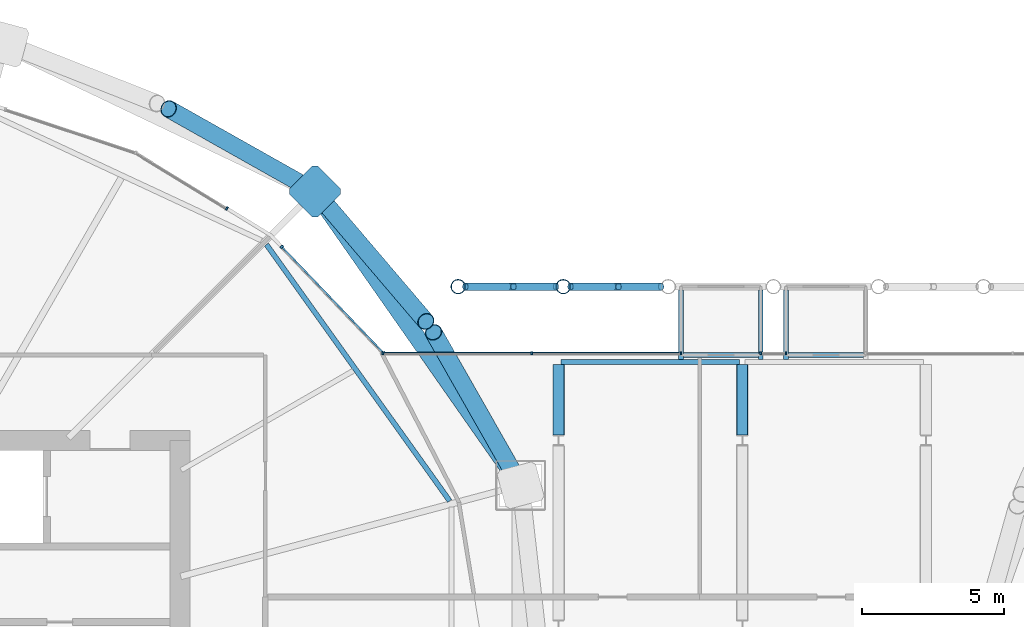
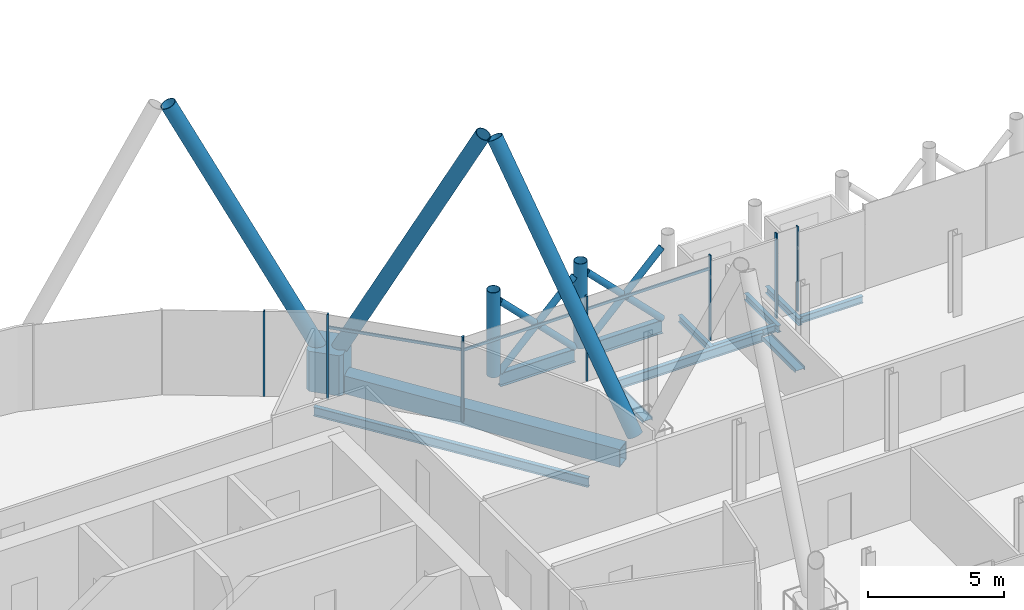
# One storey, part 11 of 35: 23 members, 12 beams, 2 elements without a shape of their own.
"""IFC4 building model written with IfcOpenShell, lengths in metres."""

from ifc_helpers import new_model, si_unit, direction, frame, origin, origin_2d, place, context, subcontext, project, spatial, polyline, rectangle, hollow_rectangle, hollow_circle, i_section, outline, extrude, material, material_profile, profile_set, type_object, element, aggregate, save


model = new_model("IFC4")

# Units and contexts
model_context = context("Model", 3, precision=1e-05, world=origin(), true_north=direction((0.0, 1.0)))
body_context = subcontext(model_context, "Body", "Model", "MODEL_VIEW")
ifc_project = project(units=[si_unit("LENGTHUNIT", "METRE"), si_unit("AREAUNIT", "SQUARE_METRE"), si_unit("VOLUMEUNIT", "CUBIC_METRE"), si_unit("PLANEANGLEUNIT", "RADIAN"), si_unit("MASSUNIT", "GRAM", prefix="KILO")], contexts=[model_context])

# Site, building, storey
site_placement = place(None, origin())
site = spatial("IfcSite", under=ifc_project, at=site_placement, CompositionType="ELEMENT")
building_placement = place(site_placement, origin())
building = spatial("IfcBuilding", under=site, at=building_placement, Name="Rimbun Link Towers", CompositionType="ELEMENT")
storey_placement = place(building_placement, frame((0.0, 0.0, 146.800048828125)))
storey = spatial("IfcBuildingStorey", under=building, at=storey_placement, Name="L35", CompositionType="ELEMENT", Elevation=146.800048828125)

# Curtain wall, members
ifc_material_1 = material(Name="Aluminium 6063-T6 and low-iron glass", Category="aluminium")
curtain_wall_type = type_object("IfcCurtainWallType", Name="CW4 link block wall", PredefinedType="NOTDEFINED", material=ifc_material_1)
curtain_wall_1_placement = place(storey_placement, origin())
curtain_wall_1 = element("IfcCurtainWall", 1, at=curtain_wall_1_placement, inside=storey, type_object=curtain_wall_type, Name="CW4 L35 T1", PredefinedType="NOTDEFINED")
ifc_material_2 = material(Name="Aluminium 6063-T6", Category="aluminium")
ifc_material_profile_1 = material_profile(ifc_material_2, rectangle(XDim=0.1201171875, YDim=0.06005859375, at=origin_2d()), Name="MULLION 60X120")
ifc_profile_set_1 = profile_set([ifc_material_profile_1], Name="Aluminium 6063-T6")
member_type_1 = type_object("IfcMemberType", Name="CW4 mullion 60X120", PredefinedType="MULLION", material=ifc_profile_set_1)
member_1_placement = place(storey_placement, frame((-16.171875, 14.798583984375, 0.0), z_axis=(0.0, 0.0, 1.0), x_axis=(0.721858090698, 0.692041109252, 0.0)))
member_1 = element("IfcMember", 2, at=member_1_placement, type_object=member_type_1, Name="CW4 mullion", PredefinedType="MULLION", context=body_context, shape_type="SweptSolid", body=[
    extrude(rectangle(XDim=0.1201171875, YDim=0.06005859375, at=origin_2d()), origin(), (0.0, 0.0, 1.0), 3.800048828125),
])
member_2_placement = place(storey_placement, frame((-12.599853515625, 11.07275390625, 0.0), z_axis=(0.0, 0.0, 1.0), x_axis=(0.721858090698, 0.692041109252, 0.0)))
member_2 = element("IfcMember", 3, at=member_2_placement, type_object=member_type_1, Name="CW4 mullion", PredefinedType="MULLION", context=body_context, shape_type="SweptSolid", body=[
    extrude(rectangle(XDim=0.1201171875, YDim=0.06005859375, at=origin_2d()), origin(), (0.0, 0.0, 1.0), 3.800048828125),
])
member_3_placement = place(storey_placement, frame((-18.098388671875, 16.147216796875, 0.0), z_axis=(0.0, 0.0, 1.0), x_axis=(0.523225378089, 0.852194346217, 0.0)))
member_3 = element("IfcMember", 4, at=member_3_placement, type_object=member_type_1, Name="CW4 mullion", PredefinedType="MULLION", context=body_context, shape_type="SweptSolid", body=[
    extrude(rectangle(XDim=0.1201171875, YDim=0.06005859375, at=origin_2d()), origin(), (0.0, 0.0, 1.0), 3.800048828125),
])

curtain_wall_2_placement = place(storey_placement, origin())
curtain_wall_2 = element("IfcCurtainWall", 5, at=curtain_wall_2_placement, inside=storey, type_object=curtain_wall_type, Name="CW4 L35 LB", PredefinedType="NOTDEFINED")
member_4_placement = place(storey_placement, frame((-12.626953125, 11.06005859375, 0.0), z_axis=(0.0, 0.0, 1.0), x_axis=(0.0, 1.0, 0.0)))
member_4 = element("IfcMember", 6, at=member_4_placement, type_object=member_type_1, Name="CW4 mullion", PredefinedType="MULLION", context=body_context, shape_type="SweptSolid", body=[
    extrude(rectangle(XDim=0.1201171875, YDim=0.06005859375, at=origin_2d()), origin(), (0.0, 0.0, 1.0), 3.800048828125),
])
member_5_placement = place(storey_placement, frame((-7.39013671875, 11.06005859375, 0.0), z_axis=(0.0, 0.0, 1.0), x_axis=(0.0, 1.0, 0.0)))
member_5 = element("IfcMember", 7, at=member_5_placement, type_object=member_type_1, Name="CW4 mullion", PredefinedType="MULLION", context=body_context, shape_type="SweptSolid", body=[
    extrude(rectangle(XDim=0.1201171875, YDim=0.06005859375, at=origin_2d()), origin(), (0.0, 0.0, 1.0), 3.800048828125),
])
member_6_placement = place(storey_placement, frame((-2.1533203125, 11.06005859375, 0.0), z_axis=(0.0, 0.0, 1.0), x_axis=(0.0, 1.0, 0.0)))
member_6 = element("IfcMember", 8, at=member_6_placement, type_object=member_type_1, Name="CW4 mullion", PredefinedType="MULLION", context=body_context, shape_type="SweptSolid", body=[
    extrude(rectangle(XDim=0.1201171875, YDim=0.06005859375, at=origin_2d()), origin(), (0.0, 0.0, 1.0), 3.800048828125),
])
member_7_placement = place(storey_placement, frame((0.646728515625, 11.06005859375, 0.0), z_axis=(0.0, 0.0, 1.0), x_axis=(0.0, 1.0, 0.0)))
member_7 = element("IfcMember", 9, at=member_7_placement, type_object=member_type_1, Name="CW4 mullion", PredefinedType="MULLION", context=body_context, shape_type="SweptSolid", body=[
    extrude(rectangle(XDim=0.1201171875, YDim=0.06005859375, at=origin_2d()), origin(), (0.0, 0.0, 1.0), 3.800048828125),
])
member_8_placement = place(storey_placement, frame((1.536865234375, 11.06005859375, 0.0), z_axis=(0.0, 0.0, 1.0), x_axis=(0.0, 1.0, 0.0)))
member_8 = element("IfcMember", 10, at=member_8_placement, type_object=member_type_1, Name="CW4 mullion", PredefinedType="MULLION", context=body_context, shape_type="SweptSolid", body=[
    extrude(rectangle(XDim=0.1201171875, YDim=0.06005859375, at=origin_2d()), origin(), (0.0, 0.0, 1.0), 3.800048828125),
])

# Member
ifc_material_3 = material(Name="Aluminium 6063-T6", Category="aluminium")
ifc_material_profile_2 = material_profile(ifc_material_3, rectangle(XDim=0.06005859375, YDim=0.1201171875, at=origin_2d()), Name="TRANSOM 60X120")
ifc_profile_set_2 = profile_set([ifc_material_profile_2], Name="Aluminium 6063-T6")
member_type_2 = type_object("IfcMemberType", Name="CW4 transom 60X120", PredefinedType="USERDEFINED", material=ifc_profile_set_2)
member_9_placement = place(storey_placement, frame((-16.152587890625, 14.775634765625, 3.199951171875), z_axis=(0.692042551771, -0.72185670776, 0.0), x_axis=(0.72185670776, 0.692042551771, 0.0)))
member_9 = element("IfcMember", 11, at=member_9_placement, type_object=member_type_2, Name="CW4 transom", ObjectType="TRANSOM", PredefinedType="USERDEFINED", context=body_context, shape_type="SweptSolid", body=[
    extrude(rectangle(XDim=0.06005859375, YDim=0.1201171875, at=origin_2d()), origin(), (0.0, 0.0, 1.0), 5.1015625),
])

aggregate(curtain_wall_1, [member_1, member_2, member_3, member_9])

member_10_placement = place(storey_placement, frame((-12.596923828125, 11.05810546875, 3.199951171875), z_axis=(1.0, 0.0, 0.0), x_axis=(0.0, 1.0, 0.0)))
member_10 = element("IfcMember", 12, at=member_10_placement, type_object=member_type_2, Name="CW4 transom", ObjectType="TRANSOM", PredefinedType="USERDEFINED", context=body_context, shape_type="SweptSolid", body=[
    extrude(rectangle(XDim=0.06005859375, YDim=0.1201171875, at=origin_2d()), origin(), (0.0, 0.0, 1.0), 5.1767578125),
])

member_11_placement = place(storey_placement, frame((-7.360107421875, 11.05810546875, 3.199951171875), z_axis=(1.0, 0.0, 0.0), x_axis=(0.0, 1.0, 0.0)))
member_11 = element("IfcMember", 13, at=member_11_placement, type_object=member_type_2, Name="CW4 transom", ObjectType="TRANSOM", PredefinedType="USERDEFINED", context=body_context, shape_type="SweptSolid", body=[
    extrude(rectangle(XDim=0.06005859375, YDim=0.1201171875, at=origin_2d()), origin(), (0.0, 0.0, 1.0), 5.177001953125),
])

aggregate(curtain_wall_2, [member_4, member_5, member_6, member_7, member_8, member_10, member_11])

# Beams
ifc_material_4 = material(Name="Steel S355J2", Category="steel")
ifc_material_profile_3 = material_profile(ifc_material_4, i_section(OverallWidth=0.1650390625, OverallDepth=0.303466796875, WebThickness=0.006103515625, FlangeThickness=0.01025390625, at=origin_2d()), Name="UB 305x165x40")
ifc_profile_set_3 = profile_set([ifc_material_profile_3], Name="Steel S355J2")
beam_type_1 = type_object("IfcBeamType", Name="Capsule bracket beam UB 305x165x40", PredefinedType="BEAM", material=ifc_profile_set_3)
for number, where, z_axis, x_axis, name in (
    (14, (-2.1533203125, 10.8349609375, -0.371826171875), (0.0, 1.0, 0.0), (-1.0, 0.0, 0.0), "Capsule F35.01 bracket beam 1"),
    (15, (0.646728515625, 10.8349609375, -0.371826171875), (0.0, 1.0, 0.0), (-1.0, 0.0, 0.0), "Capsule F35.01 bracket beam 2"),
):
    element("IfcBeam", number, at=place(storey_placement, frame(where, z_axis=z_axis, x_axis=x_axis)), inside=storey, type_object=beam_type_1, Name=name, PredefinedType="BEAM", context=body_context, shape_type="SweptSolid", body=[
        extrude(i_section(OverallWidth=0.1650390625, OverallDepth=0.303466796875, WebThickness=0.006103515625, FlangeThickness=0.01025390625, at=origin_2d()), origin(), (0.0, 0.0, 1.0), 2.451171875),
    ])
beam_1_placement = place(storey_placement, frame((-2.07080078125, 11.0, -0.371826171875), z_axis=(1.0, 0.0, 0.0), x_axis=(0.0, 1.0, 0.0)))
element("IfcBeam", 16, at=beam_1_placement, inside=storey, type_object=beam_type_1, Name="Capsule F35.01 bracket beam 3", PredefinedType="BEAM", context=body_context, shape_type="SweptSolid", body=[
    extrude(i_section(OverallWidth=0.1650390625, OverallDepth=0.303466796875, WebThickness=0.006103515625, FlangeThickness=0.01025390625, at=origin_2d()), origin(), (0.0, 0.0, 1.0), 2.635009765625),
])
beam_2_placement = place(storey_placement, frame((1.536865234375, 10.8349609375, -0.371826171875), z_axis=(0.0, 1.0, 0.0), x_axis=(-1.0, 0.0, 0.0)))
element("IfcBeam", 17, at=beam_2_placement, inside=storey, type_object=beam_type_1, Name="Capsule F35.02 bracket beam 1", PredefinedType="BEAM", context=body_context, shape_type="SweptSolid", body=[
    extrude(i_section(OverallWidth=0.1650390625, OverallDepth=0.303466796875, WebThickness=0.006103515625, FlangeThickness=0.01025390625, at=origin_2d()), origin(), (0.0, 0.0, 1.0), 2.451171875),
])
beam_3_placement = place(storey_placement, frame((1.619140625, 11.0, -0.371826171875), z_axis=(1.0, 0.0, 0.0), x_axis=(0.0, 1.0, 0.0)))
element("IfcBeam", 18, at=beam_3_placement, inside=storey, type_object=beam_type_1, Name="Capsule F35.02 bracket beam 3", PredefinedType="BEAM", context=body_context, shape_type="SweptSolid", body=[
    extrude(i_section(OverallWidth=0.1650390625, OverallDepth=0.303466796875, WebThickness=0.006103515625, FlangeThickness=0.01025390625, at=origin_2d()), origin(), (0.0, 0.0, 1.0), 2.635009765625),
])

# Members
ifc_material_5 = material(Name="Steel S355J2H", Category="steel")
ifc_material_profile_4 = material_profile(ifc_material_5, hollow_circle(Radius=0.3046875, WallThickness=0.02490234375, at=origin_2d()), Name="Diagrid diagonal CHS 610x25")
ifc_profile_set_4 = profile_set([ifc_material_profile_4], Name="Steel S355J2H")
member_type_3 = type_object("IfcMemberType", Name="Diagrid diagonal CHS 610x25", PredefinedType="BRACE", material=ifc_profile_set_4)
member_12_placement = place(storey_placement, frame((-7.8994140625, 6.62548828125, 0.441650390625), z_axis=(-0.231981788807, 0.407381246729, 0.883303441336), x_axis=(-0.868984156582, -0.494839909071, 0.0)))
element("IfcMember", 19, at=member_12_placement, inside=storey, type_object=member_type_3, Name="Diagrid diagonal T1 L35-L38 01b", PredefinedType="BRACE", context=body_context, shape_type="SweptSolid", body=[
    extrude(hollow_circle(Radius=0.3046875, WallThickness=0.02490234375, at=origin_2d()), origin(), (0.0, 0.0, 1.0), 12.698486328125),
])
member_13_placement = place(storey_placement, frame((-14.856201171875, 16.571044921875, 0.4443359375), z_axis=(0.29708649833, -0.348465852335, 0.888994466949), x_axis=(0.760978820857, 0.648776721382, 0.0)))
element("IfcMember", 20, at=member_13_placement, inside=storey, type_object=member_type_3, Name="Diagrid diagonal T1 L35-L38 03a", PredefinedType="BRACE", context=body_context, shape_type="SweptSolid", body=[
    extrude(hollow_circle(Radius=0.3046875, WallThickness=0.02490234375, at=origin_2d()), origin(), (0.0, 0.0, 1.0), 12.611083984375),
])
member_14_placement = place(storey_placement, frame((-15.20166015625, 16.856201171875, 0.446044921875), z_axis=(-0.393704990847, 0.221831902449, 0.892068936371), x_axis=(-0.490887866412, -0.871222762909, 0.0)))
element("IfcMember", 21, at=member_14_placement, inside=storey, type_object=member_type_3, Name="Diagrid diagonal T1 L35-L38 03b", PredefinedType="BRACE", context=body_context, shape_type="SweptSolid", body=[
    extrude(hollow_circle(Radius=0.3046875, WallThickness=0.02490234375, at=origin_2d()), origin(), (0.0, 0.0, 1.0), 12.56396484375),
])
ifc_material_6 = material(Name="Cast steel G20Mn5+QT, Rp0.2 300 MPa", Category="steel")
ifc_material_profile_5 = material_profile(ifc_material_6, outline(polyline([(0.699951171875, -0.570068359375), (0.699951171875, 0.570068359375), (0.570068359375, 0.699951171875), (-0.570068359375, 0.699951171875), (-0.699951171875, 0.570068359375), (-0.699951171875, -0.570068359375), (-0.570068359375, -0.699951171875), (0.570068359375, -0.699951171875), (0.699951171875, -0.570068359375)])), Name="NODE 1400x1400")
ifc_profile_set_5 = profile_set([ifc_material_profile_5], Name="Cast steel G20Mn5+QT, Rp0.2 300 MPa")
member_type_4 = type_object("IfcMemberType", Name="Diagrid node cast 1400", PredefinedType="USERDEFINED", material=ifc_profile_set_5)
member_15_placement = place(storey_placement, frame((-15.0048828125, 16.7451171875, -0.900146484375), z_axis=(0.0, 0.0, 1.0), x_axis=(0.707106781187, 0.707106781187, 0.0)))
element("IfcMember", 22, at=member_15_placement, inside=storey, type_object=member_type_4, Name="Diagrid node L35 03", ObjectType="Diagrid node", PredefinedType="USERDEFINED", context=body_context, shape_type="SweptSolid", body=[
    extrude(outline(polyline([(0.699951171875, -0.570068359375), (0.699951171875, 0.570068359375), (0.570068359375, 0.699951171875), (-0.570068359375, 0.699951171875), (-0.699951171875, 0.570068359375), (-0.699951171875, -0.570068359375), (-0.570068359375, -0.699951171875), (0.570068359375, -0.699951171875), (0.699951171875, -0.570068359375)])), origin(), (0.0, 0.0, 1.0), 1.800048828125),
])

# Beams
ifc_material_7 = material(Name="Steel S355J2", Category="steel")
ifc_material_profile_6 = material_profile(ifc_material_7, hollow_rectangle(XDim=0.60009765625, YDim=0.800048828125, WallThickness=0.0400390625, at=origin_2d()), Name="Exoskeleton ring girder BOX 600x800x40")
ifc_profile_set_6 = profile_set([ifc_material_profile_6], Name="Steel S355J2")
beam_type_2 = type_object("IfcBeamType", Name="Exoskeleton ring girder BOX 600x800x40", PredefinedType="BEAM", material=ifc_profile_set_6)
beam_4_placement = place(storey_placement, frame((-8.1845703125, 6.995361328125, -0.56005859375), z_axis=(-0.573196018056, 0.819418284446, 0.0), x_axis=(-0.819418284446, -0.573196018056, 0.0)))
element("IfcBeam", 23, at=beam_4_placement, inside=storey, type_object=beam_type_2, Name="Exoskeleton ring girder L35 00", PredefinedType="BEAM", context=body_context, shape_type="SweptSolid", body=[
    extrude(hollow_rectangle(XDim=0.60009765625, YDim=0.800048828125, WallThickness=0.0400390625, at=origin_2d()), origin(), (0.0, 0.0, 1.0), 11.198486328125),
])
ifc_material_8 = material(Name="Steel S355J2", Category="steel")
ifc_material_profile_7 = material_profile(ifc_material_8, i_section(OverallWidth=0.177978515625, OverallDepth=0.406494140625, WebThickness=0.0078125, FlangeThickness=0.0126953125, at=origin_2d()), Name="UKB 406x178x60")
ifc_profile_set_7 = profile_set([ifc_material_profile_7], Name="Steel S355J2")
beam_type_3 = type_object("IfcBeamType", Name="Link floor beam UKB 406x178x60", PredefinedType="BEAM", material=ifc_profile_set_7)
for number, where, z_axis, x_axis, name in (
    (24, (-6.449951171875, 8.1875, -0.36328125), (0.0, 1.0, 0.0), (0.0, 0.0, 1.0), "Link floor beam L35 03"),
    (25, (0.0, 8.1875, -0.36328125), (0.0, 1.0, 0.0), (0.0, 0.0, 1.0), "Link floor beam L35 07"),
):
    element("IfcBeam", number, at=place(storey_placement, frame(where, z_axis=z_axis, x_axis=x_axis)), inside=storey, type_object=beam_type_3, Name=name, PredefinedType="BEAM", context=body_context, shape_type="SweptSolid", body=[
        extrude(i_section(OverallWidth=0.177978515625, OverallDepth=0.406494140625, WebThickness=0.0078125, FlangeThickness=0.0126953125, at=origin_2d()), origin(), (0.0, 0.0, 1.0), 2.473388671875),
    ])
beam_5_placement = place(storey_placement, frame((-6.361083984375, 10.75, -0.36328125), z_axis=(1.0, 0.0, 0.0), x_axis=(0.0, 1.0, 0.0)))
element("IfcBeam", 26, at=beam_5_placement, inside=storey, type_object=beam_type_3, Name="Link edge beam L35 14", PredefinedType="BEAM", context=body_context, shape_type="SweptSolid", body=[
    extrude(i_section(OverallWidth=0.177978515625, OverallDepth=0.406494140625, WebThickness=0.0078125, FlangeThickness=0.0126953125, at=origin_2d()), origin(), (0.0, 0.0, 1.0), 6.27197265625),
])

# Members
ifc_material_9 = material(Name="Steel S355J2H", Category="steel")
ifc_material_profile_8 = material_profile(ifc_material_9, hollow_circle(Radius=0.136474609375, WallThickness=0.012451171875, at=origin_2d()), Name="CHS 273x12.5")
ifc_profile_set_8 = profile_set([ifc_material_profile_8], Name="Steel S355J2H")
member_type_5 = type_object("IfcMemberType", Name="Link megaframe brace CHS 273x12.5", PredefinedType="BRACE", material=ifc_profile_set_8)
member_16_placement = place(storey_placement, frame((-9.72412109375, 13.39990234375, -0.219970703125), z_axis=(0.705427006665, 0.0, 0.708782574749), x_axis=(0.0, 1.0, 0.0)))
element("IfcMember", 27, at=member_16_placement, inside=storey, type_object=member_type_5, Name="Link megaframe brace N0-1 bay 4.1", PredefinedType="BRACE", context=body_context, shape_type="SweptSolid", body=[
    extrude(hollow_circle(Radius=0.136474609375, WallThickness=0.012451171875, at=origin_2d()), origin(), (0.0, 0.0, 1.0), 4.510986328125),
])
member_17_placement = place(storey_placement, frame((-6.5419921875, 13.39990234375, -0.219970703125), z_axis=(-0.705431248199, 0.0, 0.70877835327), x_axis=(0.0, -1.0, 0.0)))
element("IfcMember", 28, at=member_17_placement, inside=storey, type_object=member_type_5, Name="Link megaframe brace N0-1 bay 4.2a", PredefinedType="BRACE", context=body_context, shape_type="SweptSolid", body=[
    extrude(hollow_circle(Radius=0.136474609375, WallThickness=0.012451171875, at=origin_2d()), origin(), (0.0, 0.0, 1.0), 2.115234375),
])
member_18_placement = place(storey_placement, frame((-8.231689453125, 13.39990234375, 1.477783203125), z_axis=(-0.705431521965, 0.0, 0.708778080797), x_axis=(0.0, -1.0, 0.0)))
element("IfcMember", 29, at=member_18_placement, inside=storey, type_object=member_type_5, Name="Link megaframe brace N0-1 bay 4.2b", PredefinedType="BRACE", context=body_context, shape_type="SweptSolid", body=[
    extrude(hollow_circle(Radius=0.136474609375, WallThickness=0.012451171875, at=origin_2d()), origin(), (0.0, 0.0, 1.0), 2.11572265625),
])
member_19_placement = place(storey_placement, frame((-6.0341796875, 13.39990234375, -0.219970703125), z_axis=(0.705399815657, 0.0, 0.708809635989), x_axis=(0.0, 1.0, 0.0)))
element("IfcMember", 30, at=member_19_placement, inside=storey, type_object=member_type_5, Name="Link megaframe brace N1-2 bay 4.1", PredefinedType="BRACE", context=body_context, shape_type="SweptSolid", body=[
    extrude(hollow_circle(Radius=0.136474609375, WallThickness=0.012451171875, at=origin_2d()), origin(), (0.0, 0.0, 1.0), 4.5107421875),
])
member_20_placement = place(storey_placement, frame((-2.852294921875, 13.39990234375, -0.219970703125), z_axis=(-0.705431248199, 0.0, 0.70877835327), x_axis=(0.0, -1.0, 0.0)))
element("IfcMember", 31, at=member_20_placement, inside=storey, type_object=member_type_5, Name="Link megaframe brace N1-2 bay 4.2a", PredefinedType="BRACE", context=body_context, shape_type="SweptSolid", body=[
    extrude(hollow_circle(Radius=0.136474609375, WallThickness=0.012451171875, at=origin_2d()), origin(), (0.0, 0.0, 1.0), 2.115234375),
])
member_21_placement = place(storey_placement, frame((-4.5419921875, 13.39990234375, 1.477783203125), z_axis=(-0.70537354252, 0.0, 0.708835781767), x_axis=(0.0, -1.0, 0.0)))
element("IfcMember", 32, at=member_21_placement, inside=storey, type_object=member_type_5, Name="Link megaframe brace N1-2 bay 4.2b", PredefinedType="BRACE", context=body_context, shape_type="SweptSolid", body=[
    extrude(hollow_circle(Radius=0.136474609375, WallThickness=0.012451171875, at=origin_2d()), origin(), (0.0, 0.0, 1.0), 2.115478515625),
])
ifc_material_10 = material(Name="Steel S355J2H", Category="steel")
ifc_material_profile_9 = material_profile(ifc_material_10, hollow_circle(Radius=0.25390625, WallThickness=0.02001953125, at=origin_2d()), Name="CHS 508x20")
ifc_profile_set_9 = profile_set([ifc_material_profile_9], Name="Steel S355J2H")
member_type_6 = type_object("IfcMemberType", Name="Link megaframe post CHS 508x20", PredefinedType="POST", material=ifc_profile_set_9)
for number, where, z_axis, x_axis, name in (
    (33, (-9.97802734375, 13.39990234375, -0.219970703125), (0.0, 0.0, 1.0), (1.0, 0.0, 0.0), "Link megaframe post N0 bay 4"),
    (34, (-6.2880859375, 13.39990234375, -0.219970703125), (0.0, 0.0, 1.0), (1.0, 0.0, 0.0), "Link megaframe post N1 bay 4"),
):
    element("IfcMember", number, at=place(storey_placement, frame(where, z_axis=z_axis, x_axis=x_axis)), inside=storey, type_object=member_type_6, Name=name, PredefinedType="POST", context=body_context, shape_type="SweptSolid", body=[
        extrude(hollow_circle(Radius=0.25390625, WallThickness=0.02001953125, at=origin_2d()), origin(), (0.0, 0.0, 1.0), 3.7998046875),
    ])

# Beams
ifc_material_11 = material(Name="Steel S355J2", Category="steel")
ifc_material_profile_10 = material_profile(ifc_material_11, i_section(OverallWidth=0.2275390625, OverallDepth=0.6025390625, WebThickness=0.010498046875, FlangeThickness=0.014892578125, at=origin_2d()), Name="UB 610x229x101")
ifc_profile_set_10 = profile_set([ifc_material_profile_10], Name="Steel S355J2")
beam_type_4 = type_object("IfcBeamType", Name="Link megaframe ring beam UB 610x229x101", PredefinedType="BEAM", material=ifc_profile_set_10)
beam_6_placement = place(storey_placement, frame((-9.72412109375, 13.39990234375, -0.521240234375), z_axis=(1.0, 0.0, 0.0), x_axis=(0.0, 1.0, 0.0)))
element("IfcBeam", 35, at=beam_6_placement, inside=storey, type_object=beam_type_4, Name="Link megaframe ring beam N0-1 L35", PredefinedType="BEAM", context=body_context, shape_type="SweptSolid", body=[
    extrude(i_section(OverallWidth=0.2275390625, OverallDepth=0.6025390625, WebThickness=0.010498046875, FlangeThickness=0.014892578125, at=origin_2d()), origin(), (0.0, 0.0, 1.0), 3.18212890625),
])
beam_7_placement = place(storey_placement, frame((-6.0341796875, 13.39990234375, -0.521240234375), z_axis=(1.0, 0.0, 0.0), x_axis=(0.0, 1.0, 0.0)))
element("IfcBeam", 36, at=beam_7_placement, inside=storey, type_object=beam_type_4, Name="Link megaframe ring beam N1-2 L35", PredefinedType="BEAM", context=body_context, shape_type="SweptSolid", body=[
    extrude(i_section(OverallWidth=0.2275390625, OverallDepth=0.6025390625, WebThickness=0.010498046875, FlangeThickness=0.014892578125, at=origin_2d()), origin(), (0.0, 0.0, 1.0), 3.181884765625),
])
ifc_material_12 = material(Name="Steel S355J2", Category="steel")
ifc_material_profile_11 = material_profile(ifc_material_12, i_section(OverallWidth=0.177978515625, OverallDepth=0.406494140625, WebThickness=0.0078125, FlangeThickness=0.0126953125, at=origin_2d()), Name="UB 406x178x60")
ifc_profile_set_11 = profile_set([ifc_material_profile_11], Name="Steel S355J2")
beam_type_5 = type_object("IfcBeamType", Name="UB 406x178x60", PredefinedType="BEAM", material=ifc_profile_set_11)
beam_8_placement = place(storey_placement, frame((-10.275146484375, 5.872802734375, -0.38330078125), z_axis=(-0.581403026392, 0.813615708367, 0.0), x_axis=(-0.813615708367, -0.581403026392, 0.0)))
element("IfcBeam", 37, at=beam_8_placement, inside=storey, type_object=beam_type_5, Name="Edge beam T1 L35 01-03", PredefinedType="BEAM", context=body_context, shape_type="SweptSolid", body=[
    extrude(i_section(OverallWidth=0.177978515625, OverallDepth=0.406494140625, WebThickness=0.0078125, FlangeThickness=0.0126953125, at=origin_2d()), origin(), (0.0, 0.0, 1.0), 11.067626953125),
])

save(model, "model.ifc")
